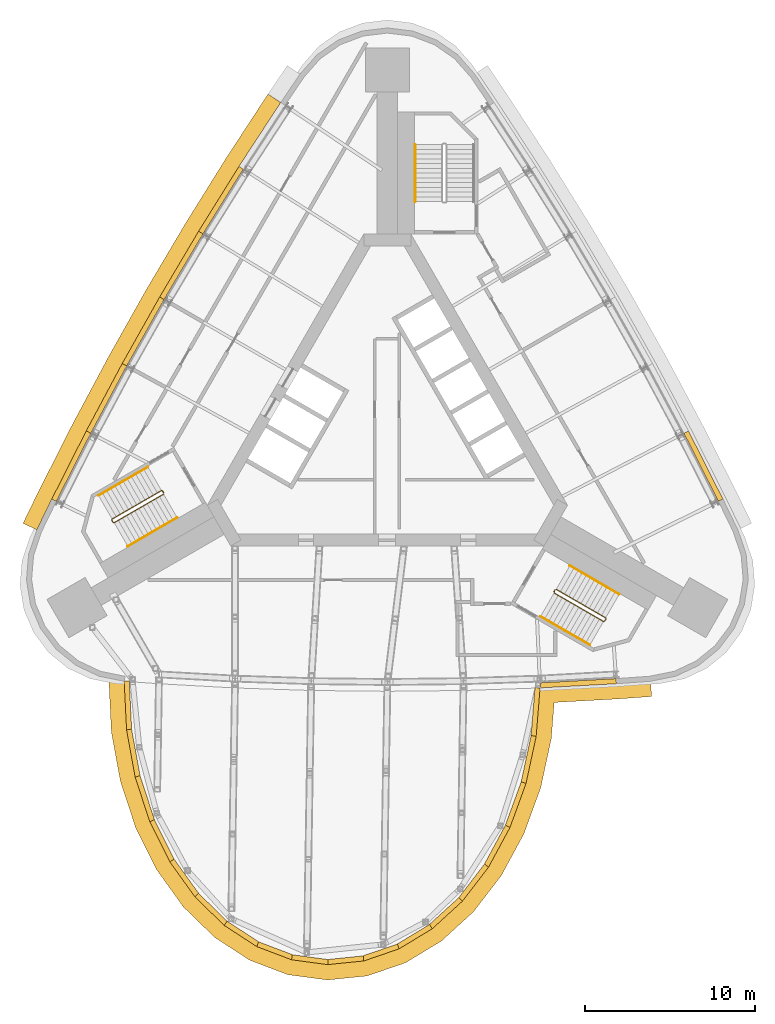
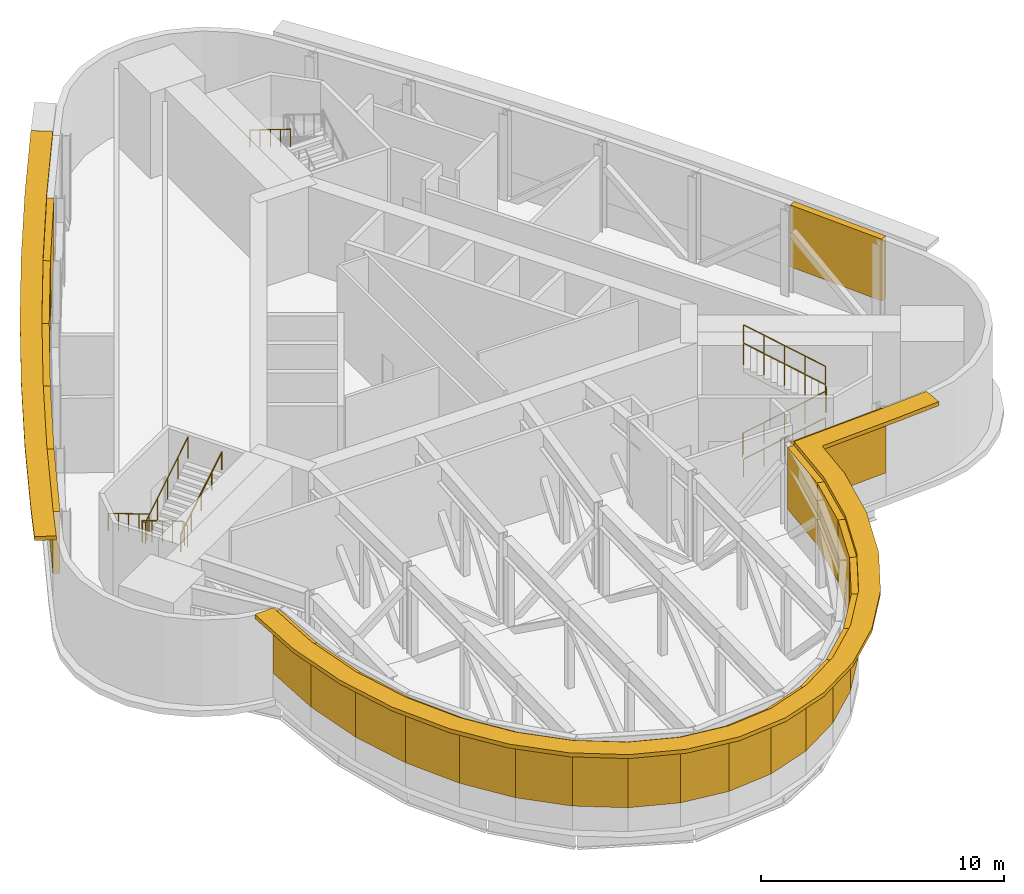
# One storey, part 9 of 10: 27 shading devices, 7 railings.
"""IFC4 building model written with IfcOpenShell, lengths in metres."""

from ifc_helpers import new_model, si_unit, direction, frame, origin, origin_2d, place, context, subcontext, project, spatial, polyline, circle, outline, extrude, material, type_object, element, save


model = new_model("IFC4")

# Units and contexts
model_context = context("Model", 3, precision=1e-05, world=origin(), true_north=direction((0.0, 1.0)))
body_context = subcontext(model_context, "Body", "Model", "MODEL_VIEW")
ifc_project = project(units=[si_unit("LENGTHUNIT", "METRE"), si_unit("AREAUNIT", "SQUARE_METRE"), si_unit("VOLUMEUNIT", "CUBIC_METRE"), si_unit("PLANEANGLEUNIT", "RADIAN"), si_unit("MASSUNIT", "GRAM", prefix="KILO")], contexts=[model_context])

# Site, building, storey
site_placement = place(None, origin())
site = spatial("IfcSite", under=ifc_project, at=site_placement, CompositionType="ELEMENT")
building_placement = place(site_placement, origin())
building = spatial("IfcBuilding", under=site, at=building_placement, Name="Noor Cloister Tower", CompositionType="ELEMENT")
storey_placement = place(building_placement, frame((0.0, 0.0, 210.300048828125)))
storey = spatial("IfcBuildingStorey", under=building, at=storey_placement, Name="L54", CompositionType="ELEMENT", Elevation=210.300048828125)

# Shading devices
ifc_material_1 = material(Name="Aluminium 6063-T6 anodised", Category="aluminium")
shading_device_type_1 = type_object("IfcShadingDeviceType", Name="LOUVRE plant air 40 percent free", PredefinedType="USERDEFINED", material=ifc_material_1)
shading_device_1_placement = place(storey_placement, frame((0.0, 0.0, 1.199951171875)))
element("IfcShadingDevice", 1, at=shading_device_1_placement, inside=storey, type_object=shading_device_type_1, Name="LOUVRE L54 1.2", ObjectType="LOUVRE", PredefinedType="USERDEFINED", context=body_context, shape_type="SweptSolid", body=[
    extrude(outline(polyline([(-8.744140625, 15.437255859375), (-11.122314453125, 11.6171875), (-10.867431640625, 11.45849609375), (-8.489501953125, 15.27880859375), (-8.744140625, 15.437255859375)])), origin(), (0.0, 0.0, 1.0), 3.10009765625),
])
shading_device_2_placement = place(storey_placement, frame((0.0, 0.0, 1.199951171875)))
element("IfcShadingDevice", 2, at=shading_device_2_placement, inside=storey, type_object=shading_device_type_1, Name="LOUVRE L54 1.3", ObjectType="LOUVRE", PredefinedType="USERDEFINED", context=body_context, shape_type="SweptSolid", body=[
    extrude(outline(polyline([(-11.122314453125, 11.6171875), (-13.415283203125, 7.745361328125), (-13.156982421875, 7.59228515625), (-10.864013671875, 11.46435546875), (-11.122314453125, 11.6171875)])), origin(), (0.0, 0.0, 1.0), 3.10009765625),
])
shading_device_3_placement = place(storey_placement, frame((0.0, 0.0, 1.199951171875)))
element("IfcShadingDevice", 3, at=shading_device_3_placement, inside=storey, type_object=shading_device_type_1, Name="LOUVRE L54 1.4", ObjectType="LOUVRE", PredefinedType="USERDEFINED", context=body_context, shape_type="SweptSolid", body=[
    extrude(outline(polyline([(-13.415283203125, 7.745361328125), (-15.621826171875, 3.823486328125), (-15.3603515625, 3.676513671875), (-13.15380859375, 7.59814453125), (-13.415283203125, 7.745361328125)])), origin(), (0.0, 0.0, 1.0), 3.10009765625),
])
shading_device_4_placement = place(storey_placement, frame((0.0, 0.0, 1.199951171875)))
element("IfcShadingDevice", 4, at=shading_device_4_placement, inside=storey, type_object=shading_device_type_1, Name="LOUVRE L54 1.5", ObjectType="LOUVRE", PredefinedType="USERDEFINED", context=body_context, shape_type="SweptSolid", body=[
    extrude(outline(polyline([(-15.621826171875, 3.823486328125), (-17.7412109375, -0.14599609375), (-17.4765625, -0.287353515625), (-15.357177734375, 3.682373046875), (-15.621826171875, 3.823486328125)])), origin(), (0.0, 0.0, 1.0), 3.10009765625),
])
shading_device_5_placement = place(storey_placement, frame((0.0, 0.0, 1.199951171875)))
element("IfcShadingDevice", 5, at=shading_device_5_placement, inside=storey, type_object=shading_device_type_1, Name="LOUVRE L54 1.6", ObjectType="LOUVRE", PredefinedType="USERDEFINED", context=body_context, shape_type="SweptSolid", body=[
    extrude(outline(polyline([(-17.7412109375, -0.14599609375), (-19.772216796875, -4.16162109375), (-19.50439453125, -4.296875), (-17.473388671875, -0.281494140625), (-17.7412109375, -0.14599609375)])), origin(), (0.0, 0.0, 1.0), 3.10009765625),
])
shading_device_6_placement = place(storey_placement, frame((0.0, 0.0, 1.199951171875)))
element("IfcShadingDevice", 6, at=shading_device_6_placement, inside=storey, type_object=shading_device_type_1, Name="LOUVRE L54 2.1", ObjectType="LOUVRE", PredefinedType="USERDEFINED", context=body_context, shape_type="SweptSolid", body=[
    extrude(outline(polyline([(-15.50732421875, -14.898193359375), (-15.366943359375, -17.76611328125), (-15.0673828125, -17.75146484375), (-15.20751953125, -14.883544921875), (-15.50732421875, -14.898193359375)])), origin(), (0.0, 0.0, 1.0), 3.10009765625),
])
shading_device_7_placement = place(storey_placement, frame((0.0, 0.0, 1.199951171875)))
element("IfcShadingDevice", 7, at=shading_device_7_placement, inside=storey, type_object=shading_device_type_1, Name="LOUVRE L54 2.2", ObjectType="LOUVRE", PredefinedType="USERDEFINED", context=body_context, shape_type="SweptSolid", body=[
    extrude(outline(polyline([(-15.366943359375, -17.76611328125), (-14.85888671875, -20.552734375), (-14.563720703125, -20.498779296875), (-15.072021484375, -17.712158203125), (-15.366943359375, -17.76611328125)])), origin(), (0.0, 0.0, 1.0), 3.10009765625),
])
shading_device_8_placement = place(storey_placement, frame((0.0, 0.0, 1.199951171875)))
element("IfcShadingDevice", 8, at=shading_device_8_placement, inside=storey, type_object=shading_device_type_1, Name="LOUVRE L54 2.3", ObjectType="LOUVRE", PredefinedType="USERDEFINED", context=body_context, shape_type="SweptSolid", body=[
    extrude(outline(polyline([(-14.85888671875, -20.552734375), (-13.998046875, -23.173583984375), (-13.713134765625, -23.079833984375), (-14.57373046875, -20.458984375), (-14.85888671875, -20.552734375)])), origin(), (0.0, 0.0, 1.0), 3.10009765625),
])
shading_device_9_placement = place(storey_placement, frame((0.0, 0.0, 1.199951171875)))
element("IfcShadingDevice", 9, at=shading_device_9_placement, inside=storey, type_object=shading_device_type_1, Name="LOUVRE L54 2.4", ObjectType="LOUVRE", PredefinedType="USERDEFINED", context=body_context, shape_type="SweptSolid", body=[
    extrude(outline(polyline([(-13.998046875, -23.173583984375), (-12.810791015625, -25.548828125), (-12.54248046875, -25.414794921875), (-13.729736328125, -23.039306640625), (-13.998046875, -23.173583984375)])), origin(), (0.0, 0.0, 1.0), 3.10009765625),
])
shading_device_10_placement = place(storey_placement, frame((0.0, 0.0, 1.199951171875)))
element("IfcShadingDevice", 10, at=shading_device_10_placement, inside=storey, type_object=shading_device_type_1, Name="LOUVRE L54 2.5", ObjectType="LOUVRE", PredefinedType="USERDEFINED", context=body_context, shape_type="SweptSolid", body=[
    extrude(outline(polyline([(-12.810791015625, -25.548828125), (-11.333251953125, -27.6064453125), (-11.089599609375, -27.431640625), (-12.567138671875, -25.373779296875), (-12.810791015625, -25.548828125)])), origin(), (0.0, 0.0, 1.0), 3.10009765625),
])
shading_device_11_placement = place(storey_placement, frame((0.0, 0.0, 1.199951171875)))
element("IfcShadingDevice", 11, at=shading_device_11_placement, inside=storey, type_object=shading_device_type_1, Name="LOUVRE L54 2.6", ObjectType="LOUVRE", PredefinedType="USERDEFINED", context=body_context, shape_type="SweptSolid", body=[
    extrude(outline(polyline([(-11.333251953125, -27.6064453125), (-9.6103515625, -29.2841796875), (-9.401123046875, -29.069091796875), (-11.1240234375, -27.3916015625), (-11.333251953125, -27.6064453125)])), origin(), (0.0, 0.0, 1.0), 3.10009765625),
])
shading_device_12_placement = place(storey_placement, frame((0.0, 0.0, 1.199951171875)))
element("IfcShadingDevice", 12, at=shading_device_12_placement, inside=storey, type_object=shading_device_type_1, Name="LOUVRE L54 2.7", ObjectType="LOUVRE", PredefinedType="USERDEFINED", context=body_context, shape_type="SweptSolid", body=[
    extrude(outline(polyline([(-9.6103515625, -29.2841796875), (-7.6943359375, -30.530517578125), (-7.53076171875, -30.279052734375), (-9.44677734375, -29.03271484375), (-9.6103515625, -29.2841796875)])), origin(), (0.0, 0.0, 1.0), 3.10009765625),
])
shading_device_13_placement = place(storey_placement, frame((0.0, 0.0, 1.199951171875)))
element("IfcShadingDevice", 13, at=shading_device_13_placement, inside=storey, type_object=shading_device_type_1, Name="LOUVRE L54 2.8", ObjectType="LOUVRE", PredefinedType="USERDEFINED", context=body_context, shape_type="SweptSolid", body=[
    extrude(outline(polyline([(-7.6943359375, -30.530517578125), (-5.643310546875, -31.307861328125), (-5.536865234375, -31.02734375), (-7.587890625, -30.25), (-7.6943359375, -30.530517578125)])), origin(), (0.0, 0.0, 1.0), 3.10009765625),
])
shading_device_14_placement = place(storey_placement, frame((0.0, 0.0, 1.199951171875)))
element("IfcShadingDevice", 14, at=shading_device_14_placement, inside=storey, type_object=shading_device_type_1, Name="LOUVRE L54 2.9", ObjectType="LOUVRE", PredefinedType="USERDEFINED", context=body_context, shape_type="SweptSolid", body=[
    extrude(outline(polyline([(-5.643310546875, -31.307861328125), (-3.519775390625, -31.5927734375), (-3.47998046875, -31.29541015625), (-5.603515625, -31.010498046875), (-5.643310546875, -31.307861328125)])), origin(), (0.0, 0.0, 1.0), 3.10009765625),
])
shading_device_15_placement = place(storey_placement, frame((0.0, 0.0, 1.199951171875)))
element("IfcShadingDevice", 15, at=shading_device_15_placement, inside=storey, type_object=shading_device_type_1, Name="LOUVRE L54 2.10", ObjectType="LOUVRE", PredefinedType="USERDEFINED", context=body_context, shape_type="SweptSolid", body=[
    extrude(outline(polyline([(-3.519775390625, -31.5927734375), (-1.38818359375, -31.376220703125), (-1.41845703125, -31.07763671875), (-3.550048828125, -31.294189453125), (-3.519775390625, -31.5927734375)])), origin(), (0.0, 0.0, 1.0), 3.10009765625),
])
shading_device_16_placement = place(storey_placement, frame((0.0, 0.0, 1.199951171875)))
element("IfcShadingDevice", 16, at=shading_device_16_placement, inside=storey, type_object=shading_device_type_1, Name="LOUVRE L54 2.11", ObjectType="LOUVRE", PredefinedType="USERDEFINED", context=body_context, shape_type="SweptSolid", body=[
    extrude(outline(polyline([(-1.38818359375, -31.376220703125), (0.686767578125, -30.6650390625), (0.58935546875, -30.381103515625), (-1.4853515625, -31.09228515625), (-1.38818359375, -31.376220703125)])), origin(), (0.0, 0.0, 1.0), 3.10009765625),
])
shading_device_17_placement = place(storey_placement, frame((0.0, 0.0, 1.199951171875)))
element("IfcShadingDevice", 17, at=shading_device_17_placement, inside=storey, type_object=shading_device_type_1, Name="LOUVRE L54 2.12", ObjectType="LOUVRE", PredefinedType="USERDEFINED", context=body_context, shape_type="SweptSolid", body=[
    extrude(outline(polyline([(0.686767578125, -30.6650390625), (2.641845703125, -29.480712890625), (2.486328125, -29.22412109375), (0.53125, -30.408447265625), (0.686767578125, -30.6650390625)])), origin(), (0.0, 0.0, 1.0), 3.10009765625),
])
shading_device_18_placement = place(storey_placement, frame((0.0, 0.0, 1.199951171875)))
element("IfcShadingDevice", 18, at=shading_device_18_placement, inside=storey, type_object=shading_device_type_1, Name="LOUVRE L54 2.13", ObjectType="LOUVRE", PredefinedType="USERDEFINED", context=body_context, shape_type="SweptSolid", body=[
    extrude(outline(polyline([(2.641845703125, -29.480712890625), (4.417724609375, -27.859130859375), (4.21533203125, -27.6376953125), (2.439453125, -29.259033203125), (2.641845703125, -29.480712890625)])), origin(), (0.0, 0.0, 1.0), 3.10009765625),
])
shading_device_19_placement = place(storey_placement, frame((0.0, 0.0, 1.199951171875)))
element("IfcShadingDevice", 19, at=shading_device_19_placement, inside=storey, type_object=shading_device_type_1, Name="LOUVRE L54 2.14", ObjectType="LOUVRE", PredefinedType="USERDEFINED", context=body_context, shape_type="SweptSolid", body=[
    extrude(outline(polyline([(4.417724609375, -27.859130859375), (5.96044921875, -25.85009765625), (5.72265625, -25.667236328125), (4.1796875, -27.676513671875), (4.417724609375, -27.859130859375)])), origin(), (0.0, 0.0, 1.0), 3.10009765625),
])
shading_device_20_placement = place(storey_placement, frame((0.0, 0.0, 1.199951171875)))
element("IfcShadingDevice", 20, at=shading_device_20_placement, inside=storey, type_object=shading_device_type_1, Name="LOUVRE L54 2.15", ObjectType="LOUVRE", PredefinedType="USERDEFINED", context=body_context, shape_type="SweptSolid", body=[
    extrude(outline(polyline([(5.96044921875, -25.85009765625), (7.22314453125, -23.513916015625), (6.959228515625, -23.371337890625), (5.696533203125, -25.707275390625), (5.96044921875, -25.85009765625)])), origin(), (0.0, 0.0, 1.0), 3.10009765625),
])
shading_device_21_placement = place(storey_placement, frame((0.0, 0.0, 1.199951171875)))
element("IfcShadingDevice", 21, at=shading_device_21_placement, inside=storey, type_object=shading_device_type_1, Name="LOUVRE L54 2.16", ObjectType="LOUVRE", PredefinedType="USERDEFINED", context=body_context, shape_type="SweptSolid", body=[
    extrude(outline(polyline([(7.22314453125, -23.513916015625), (8.167724609375, -20.922119140625), (7.8857421875, -20.8193359375), (6.94140625, -23.4111328125), (7.22314453125, -23.513916015625)])), origin(), (0.0, 0.0, 1.0), 3.10009765625),
])
shading_device_22_placement = place(storey_placement, frame((0.0, 0.0, 1.199951171875)))
element("IfcShadingDevice", 22, at=shading_device_22_placement, inside=storey, type_object=shading_device_type_1, Name="LOUVRE L54 2.17", ObjectType="LOUVRE", PredefinedType="USERDEFINED", context=body_context, shape_type="SweptSolid", body=[
    extrude(outline(polyline([(8.167724609375, -20.922119140625), (8.764892578125, -18.153076171875), (8.4716796875, -18.08984375), (7.87451171875, -20.85888671875), (8.167724609375, -20.922119140625)])), origin(), (0.0, 0.0, 1.0), 3.10009765625),
])
shading_device_23_placement = place(storey_placement, frame((0.0, 0.0, 1.199951171875)))
element("IfcShadingDevice", 23, at=shading_device_23_placement, inside=storey, type_object=shading_device_type_1, Name="LOUVRE L54 2.18", ObjectType="LOUVRE", PredefinedType="USERDEFINED", context=body_context, shape_type="SweptSolid", body=[
    extrude(outline(polyline([(8.764892578125, -18.153076171875), (8.9970703125, -15.291259765625), (8.697998046875, -15.26708984375), (8.466064453125, -18.12890625), (8.764892578125, -18.153076171875)])), origin(), (0.0, 0.0, 1.0), 3.10009765625),
])
shading_device_24_placement = place(storey_placement, frame((0.0, 0.0, 1.199951171875)))
element("IfcShadingDevice", 24, at=shading_device_24_placement, inside=storey, type_object=shading_device_type_1, Name="LOUVRE L54 3.1", ObjectType="LOUVRE", PredefinedType="USERDEFINED", context=body_context, shape_type="SweptSolid", body=[
    extrude(outline(polyline([(8.9970703125, -15.291259765625), (13.489990234375, -15.04248046875), (13.473388671875, -14.742919921875), (8.98046875, -14.99169921875), (8.9970703125, -15.291259765625)])), origin(), (0.0, 0.0, 1.0), 3.10009765625),
])
shading_device_25_placement = place(storey_placement, frame((0.0, 0.0, 1.199951171875)))
element("IfcShadingDevice", 25, at=shading_device_25_placement, inside=storey, type_object=shading_device_type_1, Name="LOUVRE L54 4.1", ObjectType="LOUVRE", PredefinedType="USERDEFINED", context=body_context, shape_type="SweptSolid", body=[
    extrude(outline(polyline([(19.772216796875, -4.16162109375), (17.7412109375, -0.14599609375), (17.473388671875, -0.281494140625), (19.50439453125, -4.296875), (19.772216796875, -4.16162109375)])), origin(), (0.0, 0.0, 1.0), 3.10009765625),
])
ifc_material_2 = material(Name="Limestone", Category="masonry")
shading_device_type_2 = type_object("IfcShadingDeviceType", Name="SUNSHADE limestone band 900", PredefinedType="USERDEFINED", material=ifc_material_2)
shading_device_26_placement = place(storey_placement, frame((0.0, 0.0, 4.300048828125)))
element("IfcShadingDevice", 26, at=shading_device_26_placement, inside=storey, type_object=shading_device_type_2, Name="SUNSHADE L54 1", ObjectType="SUNSHADE", PredefinedType="USERDEFINED", context=body_context, shape_type="SweptSolid", body=[
    extrude(outline(polyline([(-7.035400390625, 19.6962890625), (-9.5029296875, 15.92138671875), (-11.8916015625, 12.084228515625), (-14.194580078125, 8.1953125), (-16.4111328125, 4.256103515625), (-18.539794921875, 0.26904296875), (-20.57861328125, -3.76171875), (-21.46533203125, -5.587158203125), (-20.65576171875, -5.98046875), (-19.772216796875, -4.16162109375), (-17.7412109375, -0.14599609375), (-15.621826171875, 3.823486328125), (-13.415283203125, 7.745361328125), (-11.122314453125, 11.6171875), (-8.744140625, 15.437255859375), (-6.2822265625, 19.2041015625), (-7.035400390625, 19.6962890625)])), origin(), (0.0, 0.0, 1.0), 0.199951171875),
])
shading_device_27_placement = place(storey_placement, frame((0.0, 0.0, 4.300048828125)))
element("IfcShadingDevice", 27, at=shading_device_27_placement, inside=storey, type_object=shading_device_type_2, Name="SUNSHADE L54 2", ObjectType="SUNSHADE", PredefinedType="USERDEFINED", context=body_context, shape_type="SweptSolid", body=[
    extrude(outline(polyline([(-16.40625, -14.942138671875), (-16.26318359375, -17.869140625), (-15.733154296875, -20.77490234375), (-14.83251953125, -23.516845703125), (-13.583740234375, -26.015380859375), (-12.01806640625, -28.196044921875), (-10.175048828125, -29.990478515625), (-8.103759765625, -31.337646484375), (-5.865478515625, -32.18603515625), (-3.5341796875, -32.498779296875), (-1.1943359375, -32.260986328125), (1.070068359375, -31.48486328125), (3.18359375, -30.204833984375), (5.083251953125, -28.47021484375), (6.718017578125, -26.341064453125), (8.04638671875, -23.884033203125), (9.034423828125, -21.172119140625), (9.6572265625, -18.284912109375), (9.83056640625, -16.146484375), (13.547119140625, -15.940673828125), (15.571533203125, -15.7958984375), (15.50732421875, -14.898193359375), (13.489990234375, -15.04248046875), (8.9970703125, -15.291259765625), (8.764892578125, -18.153076171875), (8.167724609375, -20.922119140625), (7.22314453125, -23.513916015625), (5.96044921875, -25.85009765625), (4.417724609375, -27.859130859375), (2.641845703125, -29.480712890625), (0.686767578125, -30.6650390625), (-1.38818359375, -31.376220703125), (-3.519775390625, -31.5927734375), (-5.643310546875, -31.307861328125), (-7.6943359375, -30.530517578125), (-9.6103515625, -29.2841796875), (-11.333251953125, -27.6064453125), (-12.810791015625, -25.548828125), (-13.998046875, -23.173583984375), (-14.85888671875, -20.552734375), (-15.366943359375, -17.76611328125), (-15.50732421875, -14.898193359375), (-16.40625, -14.942138671875)])), origin(), (0.0, 0.0, 1.0), 0.199951171875),
])

# Railings
ifc_material_3 = material(Name="Stainless steel", Category="steel")
railing_type_1 = type_object("IfcRailingType", Name="Stair guard 1100", PredefinedType="GUARDRAIL", material=ifc_material_3)
railing_1_placement = place(storey_placement, frame((-13.241455078125, -3.677734375, 0.0)))
element("IfcRailing", 28, at=railing_1_placement, inside=storey, type_object=railing_type_1, Name="Stair guard ST2 L54", PredefinedType="GUARDRAIL", context=body_context, shape_type="SweptSolid", body=[
    extrude(circle(Radius=0.02392578125, at=origin_2d()), frame((0.0, 0.0, 1.076171875), z_axis=(0.499112439033, -0.866537231285, 0.0), x_axis=(0.866537231285, 0.499112439033, 0.0)), (0.0, 0.0, 1.0), 0.150146484375),
    extrude(circle(Radius=0.02392578125, at=origin_2d()), frame((0.074951171875, -0.130126953125, 1.076171875), z_axis=(-0.532384093884, 0.550523245294, 0.643032917485), x_axis=(-0.718850276695, -0.695164929852, 0.0)), (0.0, 0.0, 1.0), 0.269287109375),
    extrude(circle(Radius=0.02392578125, at=origin_2d()), frame((-0.068359375, 0.01806640625, 1.2490234375), z_axis=(-0.736667954249, -0.425288379326, 0.525785240943), x_axis=(0.499976138585, -0.866039179741, 0.0)), (0.0, 0.0, 1.0), 3.9501953125),
    extrude(circle(Radius=0.02392578125, at=origin_2d()), frame((-2.978271484375, -1.661865234375, 3.326171875), z_axis=(-0.258736085224, -0.965948051503, 0.0), x_axis=(0.965948051503, -0.258736085224, 0.0)), (0.0, 0.0, 1.0), 0.07080078125),
    extrude(circle(Radius=0.02392578125, at=origin_2d()), frame((-2.99658203125, -1.730224609375, 3.326171875), z_axis=(0.501036270542, -0.865426285481, 0.0), x_axis=(0.865426285481, 0.501036270542, 0.0)), (0.0, 0.0, 1.0), 0.150146484375),
    extrude(circle(Radius=0.02392578125, at=origin_2d()), frame((-2.92138671875, -1.860107421875, 3.326171875), z_axis=(0.364418931161, -0.097962078269, 0.926068179905), x_axis=(0.259601060869, 0.965715946433, 0.0)), (0.0, 0.0, 1.0), 0.18701171875),
    extrude(circle(Radius=0.02392578125, at=origin_2d()), frame((-2.853271484375, -1.87841796875, 3.4990234375), z_axis=(0.736648589954, 0.42533900462, 0.52577141998), x_axis=(-0.500030632641, 0.866007717299, 0.0)), (0.0, 0.0, 1.0), 3.9501953125),
    extrude(circle(Radius=0.02099609375, at=origin_2d()), origin(), (0.0, 0.0, 1.0), 1.052001953125),
    extrude(circle(Radius=0.02099609375, at=origin_2d()), frame((0.074951171875, -0.130126953125, 0.0)), (0.0, 0.0, 1.0), 1.052001953125),
    extrude(circle(Radius=0.02099609375, at=origin_2d()), frame((-0.068359375, 0.01806640625, 0.173095703125)), (0.0, 0.0, 1.0), 1.052001953125),
    extrude(circle(Radius=0.02099609375, at=origin_2d()), frame((-0.7958984375, -0.40185546875, 0.6923828125)), (0.0, 0.0, 1.0), 1.052001953125),
    extrude(circle(Radius=0.02099609375, at=origin_2d()), frame((-1.5234375, -0.82177734375, 1.21142578125)), (0.0, 0.0, 1.0), 1.052001953125),
    extrude(circle(Radius=0.02099609375, at=origin_2d()), frame((-2.250732421875, -1.241943359375, 1.730712890625)), (0.0, 0.0, 1.0), 1.052001953125),
    extrude(circle(Radius=0.02099609375, at=origin_2d()), frame((-2.978271484375, -1.661865234375, 2.25)), (0.0, 0.0, 1.0), 1.052001953125),
    extrude(circle(Radius=0.02099609375, at=origin_2d()), frame((-2.99658203125, -1.730224609375, 2.25)), (0.0, 0.0, 1.0), 1.052001953125),
    extrude(circle(Radius=0.02099609375, at=origin_2d()), frame((-2.92138671875, -1.860107421875, 2.25)), (0.0, 0.0, 1.0), 1.052001953125),
    extrude(circle(Radius=0.02099609375, at=origin_2d()), frame((-2.853271484375, -1.87841796875, 2.423095703125)), (0.0, 0.0, 1.0), 1.052001953125),
    extrude(circle(Radius=0.02099609375, at=origin_2d()), frame((-2.125732421875, -1.45849609375, 2.9423828125)), (0.0, 0.0, 1.0), 1.052001953125),
    extrude(circle(Radius=0.02099609375, at=origin_2d()), frame((-1.3984375, -1.038330078125, 3.46142578125)), (0.0, 0.0, 1.0), 1.052001953125),
    extrude(circle(Radius=0.02099609375, at=origin_2d()), frame((-0.6708984375, -0.6181640625, 3.980712890625)), (0.0, 0.0, 1.0), 1.052001953125),
    extrude(circle(Radius=0.02099609375, at=origin_2d()), frame((0.056640625, -0.1982421875, 4.5)), (0.0, 0.0, 1.0), 1.052001953125),
])
railing_2_placement = place(storey_placement, frame((9.805908203125, -9.628662109375, 0.0)))
element("IfcRailing", 29, at=railing_2_placement, inside=storey, type_object=railing_type_1, Name="Stair guard ST3 L54", PredefinedType="GUARDRAIL", context=body_context, shape_type="SweptSolid", body=[
    extrude(circle(Radius=0.02392578125, at=origin_2d()), frame((0.0, 0.0, 1.076171875), z_axis=(0.499112439033, 0.866537231285, 0.0), x_axis=(-0.866537231285, 0.499112439033, 0.0)), (0.0, 0.0, 1.0), 0.150146484375),
    extrude(circle(Radius=0.02392578125, at=origin_2d()), frame((0.074951171875, 0.130126953125, 1.076171875), z_axis=(-0.210401176497, -0.736404117741, 0.642993250589), x_axis=(0.961523947641, -0.274721127897, 0.0)), (0.0, 0.0, 1.0), 0.269287109375),
    extrude(circle(Radius=0.02392578125, at=origin_2d()), frame((0.018310546875, -0.068115234375, 1.2490234375), z_axis=(0.736648589954, -0.42533900462, 0.52577141998), x_axis=(0.500030632641, 0.866007717299, 0.0)), (0.0, 0.0, 1.0), 3.9501953125),
    extrude(circle(Radius=0.02392578125, at=origin_2d()), frame((2.92822265625, -1.748291015625, 3.326171875), z_axis=(0.965715946433, 0.259601060869, 0.0), x_axis=(-0.259601060869, 0.965715946433, 0.0)), (0.0, 0.0, 1.0), 0.070556640625),
    extrude(circle(Radius=0.02392578125, at=origin_2d()), frame((2.996337890625, -1.72998046875, 3.326171875), z_axis=(0.499816412211, 0.866131372301, 0.0), x_axis=(-0.866131372301, 0.499816412211, 0.0)), (0.0, 0.0, 1.0), 0.14990234375),
    extrude(circle(Radius=0.02392578125, at=origin_2d()), frame((3.0712890625, -1.60009765625, 3.326171875), z_axis=(-0.096622130353, 0.365597249983, 0.925744465136), x_axis=(-0.966805641264, -0.255512919477, 0.0)), (0.0, 0.0, 1.0), 0.18701171875),
    extrude(circle(Radius=0.02392578125, at=origin_2d()), frame((3.05322265625, -1.53173828125, 3.4990234375), z_axis=(-0.736667954249, 0.425288379326, 0.525785240943), x_axis=(-0.499976138585, -0.866039179741, 0.0)), (0.0, 0.0, 1.0), 3.9501953125),
    extrude(circle(Radius=0.02099609375, at=origin_2d()), origin(), (0.0, 0.0, 1.0), 1.052001953125),
    extrude(circle(Radius=0.02099609375, at=origin_2d()), frame((0.074951171875, 0.130126953125, 0.0)), (0.0, 0.0, 1.0), 1.052001953125),
    extrude(circle(Radius=0.02099609375, at=origin_2d()), frame((0.018310546875, -0.068115234375, 0.173095703125)), (0.0, 0.0, 1.0), 1.052001953125),
    extrude(circle(Radius=0.02099609375, at=origin_2d()), frame((0.745849609375, -0.48828125, 0.6923828125)), (0.0, 0.0, 1.0), 1.052001953125),
    extrude(circle(Radius=0.02099609375, at=origin_2d()), frame((1.47314453125, -0.908203125, 1.21142578125)), (0.0, 0.0, 1.0), 1.052001953125),
    extrude(circle(Radius=0.02099609375, at=origin_2d()), frame((2.20068359375, -1.328125, 1.730712890625)), (0.0, 0.0, 1.0), 1.052001953125),
    extrude(circle(Radius=0.02099609375, at=origin_2d()), frame((2.92822265625, -1.748291015625, 2.25)), (0.0, 0.0, 1.0), 1.052001953125),
    extrude(circle(Radius=0.02099609375, at=origin_2d()), frame((2.996337890625, -1.72998046875, 2.25)), (0.0, 0.0, 1.0), 1.052001953125),
    extrude(circle(Radius=0.02099609375, at=origin_2d()), frame((3.0712890625, -1.60009765625, 2.25)), (0.0, 0.0, 1.0), 1.052001953125),
    extrude(circle(Radius=0.02099609375, at=origin_2d()), frame((3.05322265625, -1.53173828125, 2.423095703125)), (0.0, 0.0, 1.0), 1.052001953125),
    extrude(circle(Radius=0.02099609375, at=origin_2d()), frame((2.32568359375, -1.11181640625, 2.9423828125)), (0.0, 0.0, 1.0), 1.052001953125),
    extrude(circle(Radius=0.02099609375, at=origin_2d()), frame((1.59814453125, -0.69189453125, 3.46142578125)), (0.0, 0.0, 1.0), 1.052001953125),
    extrude(circle(Radius=0.02099609375, at=origin_2d()), frame((0.870849609375, -0.271728515625, 3.980712890625)), (0.0, 0.0, 1.0), 1.052001953125),
    extrude(circle(Radius=0.02099609375, at=origin_2d()), frame((0.143310546875, 0.148193359375, 4.5)), (0.0, 0.0, 1.0), 1.052001953125),
])
ifc_material_4 = material(Name="Stainless steel", Category="steel")
railing_type_2 = type_object("IfcRailingType", Name="Stair handrail 900", PredefinedType="HANDRAIL", material=ifc_material_4)
railing_3_placement = place(storey_placement, frame((1.6357421875, 16.71630859375, 2.423095703125)))
element("IfcRailing", 30, at=railing_3_placement, inside=storey, type_object=railing_type_2, Name="Stair handrail ST1 L54 2", PredefinedType="HANDRAIL", context=body_context, shape_type="SweptSolid", body=[
    extrude(circle(Radius=0.02392578125, at=origin_2d()), frame((0.0, 0.0, 0.8759765625), z_axis=(0.0, -0.850606129759, 0.525803396734), x_axis=(1.0, 0.0, 0.0)), (0.0, 0.0, 1.0), 3.949951171875),
    extrude(circle(Radius=0.02099609375, at=origin_2d()), origin(), (0.0, 0.0, 1.0), 0.851806640625),
    extrude(circle(Radius=0.02099609375, at=origin_2d()), frame((0.0, -0.83984375, 0.519287109375)), (0.0, 0.0, 1.0), 0.851806640625),
    extrude(circle(Radius=0.02099609375, at=origin_2d()), frame((0.0, -1.679931640625, 1.03857421875)), (0.0, 0.0, 1.0), 0.851806640625),
    extrude(circle(Radius=0.02099609375, at=origin_2d()), frame((0.0, -2.52001953125, 1.5576171875)), (0.0, 0.0, 1.0), 0.851806640625),
    extrude(circle(Radius=0.02099609375, at=origin_2d()), frame((0.0, -3.35986328125, 2.076904296875)), (0.0, 0.0, 1.0), 0.851806640625),
])
railing_4_placement = place(storey_placement, frame((-14.10986328125, -2.27392578125, 0.173095703125)))
element("IfcRailing", 31, at=railing_4_placement, inside=storey, type_object=railing_type_2, Name="Stair handrail ST2 L54 1", PredefinedType="HANDRAIL", context=body_context, shape_type="SweptSolid", body=[
    extrude(circle(Radius=0.02392578125, at=origin_2d()), frame((0.0, 0.0, 0.8759765625), z_axis=(-0.736639687092, -0.425307743487, 0.525809180911), x_axis=(0.500007602105, -0.866021014662, 0.0)), (0.0, 0.0, 1.0), 3.949951171875),
    extrude(circle(Radius=0.02099609375, at=origin_2d()), origin(), (0.0, 0.0, 1.0), 0.851806640625),
    extrude(circle(Radius=0.02099609375, at=origin_2d()), frame((-0.7275390625, -0.419921875, 0.519287109375)), (0.0, 0.0, 1.0), 0.851806640625),
    extrude(circle(Radius=0.02099609375, at=origin_2d()), frame((-1.454833984375, -0.83984375, 1.03857421875)), (0.0, 0.0, 1.0), 0.851806640625),
    extrude(circle(Radius=0.02099609375, at=origin_2d()), frame((-2.18212890625, -1.260009765625, 1.5576171875)), (0.0, 0.0, 1.0), 0.851806640625),
    extrude(circle(Radius=0.02099609375, at=origin_2d()), frame((-2.90966796875, -1.679931640625, 2.076904296875)), (0.0, 0.0, 1.0), 0.851806640625),
])
railing_5_placement = place(storey_placement, frame((-15.294677734375, -6.941650390625, 2.423095703125)))
element("IfcRailing", 32, at=railing_5_placement, inside=storey, type_object=railing_type_2, Name="Stair handrail ST2 L54 2", PredefinedType="HANDRAIL", context=body_context, shape_type="SweptSolid", body=[
    extrude(circle(Radius=0.02392578125, at=origin_2d()), frame((0.0, 0.0, 0.8759765625), z_axis=(0.736667954249, 0.425288379326, 0.525785240943), x_axis=(-0.499976138585, 0.866039179741, 0.0)), (0.0, 0.0, 1.0), 3.9501953125),
    extrude(circle(Radius=0.02099609375, at=origin_2d()), origin(), (0.0, 0.0, 1.0), 0.851806640625),
    extrude(circle(Radius=0.02099609375, at=origin_2d()), frame((0.7275390625, 0.419921875, 0.519287109375)), (0.0, 0.0, 1.0), 0.851806640625),
    extrude(circle(Radius=0.02099609375, at=origin_2d()), frame((1.455078125, 0.83984375, 1.03857421875)), (0.0, 0.0, 1.0), 0.851806640625),
    extrude(circle(Radius=0.02099609375, at=origin_2d()), frame((2.182373046875, 1.260009765625, 1.5576171875)), (0.0, 0.0, 1.0), 0.851806640625),
    extrude(circle(Radius=0.02099609375, at=origin_2d()), frame((2.909912109375, 1.679931640625, 2.076904296875)), (0.0, 0.0, 1.0), 0.851806640625),
])
railing_6_placement = place(storey_placement, frame((9.024169921875, -11.08251953125, 0.173095703125)))
element("IfcRailing", 33, at=railing_6_placement, inside=storey, type_object=railing_type_2, Name="Stair handrail ST3 L54 1", PredefinedType="HANDRAIL", context=body_context, shape_type="SweptSolid", body=[
    extrude(circle(Radius=0.02392578125, at=origin_2d()), frame((0.0, 0.0, 0.8759765625), z_axis=(0.736667954249, -0.425288379326, 0.525785240943), x_axis=(0.499976138585, 0.866039179741, 0.0)), (0.0, 0.0, 1.0), 3.9501953125),
    extrude(circle(Radius=0.02099609375, at=origin_2d()), origin(), (0.0, 0.0, 1.0), 0.851806640625),
    extrude(circle(Radius=0.02099609375, at=origin_2d()), frame((0.7275390625, -0.419921875, 0.519287109375)), (0.0, 0.0, 1.0), 0.851806640625),
    extrude(circle(Radius=0.02099609375, at=origin_2d()), frame((1.455078125, -0.83984375, 1.03857421875)), (0.0, 0.0, 1.0), 0.851806640625),
    extrude(circle(Radius=0.02099609375, at=origin_2d()), frame((2.182373046875, -1.260009765625, 1.5576171875)), (0.0, 0.0, 1.0), 0.851806640625),
    extrude(circle(Radius=0.02099609375, at=origin_2d()), frame((2.909912109375, -1.679931640625, 2.076904296875)), (0.0, 0.0, 1.0), 0.851806640625),
])
railing_7_placement = place(storey_placement, frame((13.658935546875, -9.774658203125, 2.423095703125)))
element("IfcRailing", 34, at=railing_7_placement, inside=storey, type_object=railing_type_2, Name="Stair handrail ST3 L54 2", PredefinedType="HANDRAIL", context=body_context, shape_type="SweptSolid", body=[
    extrude(circle(Radius=0.02392578125, at=origin_2d()), frame((0.0, 0.0, 0.8759765625), z_axis=(-0.736639687092, 0.425307743487, 0.525809180911), x_axis=(-0.500007602105, -0.866021014662, 0.0)), (0.0, 0.0, 1.0), 3.949951171875),
    extrude(circle(Radius=0.02099609375, at=origin_2d()), origin(), (0.0, 0.0, 1.0), 0.851806640625),
    extrude(circle(Radius=0.02099609375, at=origin_2d()), frame((-0.7275390625, 0.419921875, 0.519287109375)), (0.0, 0.0, 1.0), 0.851806640625),
    extrude(circle(Radius=0.02099609375, at=origin_2d()), frame((-1.454833984375, 0.83984375, 1.03857421875)), (0.0, 0.0, 1.0), 0.851806640625),
    extrude(circle(Radius=0.02099609375, at=origin_2d()), frame((-2.18212890625, 1.260009765625, 1.5576171875)), (0.0, 0.0, 1.0), 0.851806640625),
    extrude(circle(Radius=0.02099609375, at=origin_2d()), frame((-2.90966796875, 1.679931640625, 2.076904296875)), (0.0, 0.0, 1.0), 0.851806640625),
])

save(model, "model.ifc")
